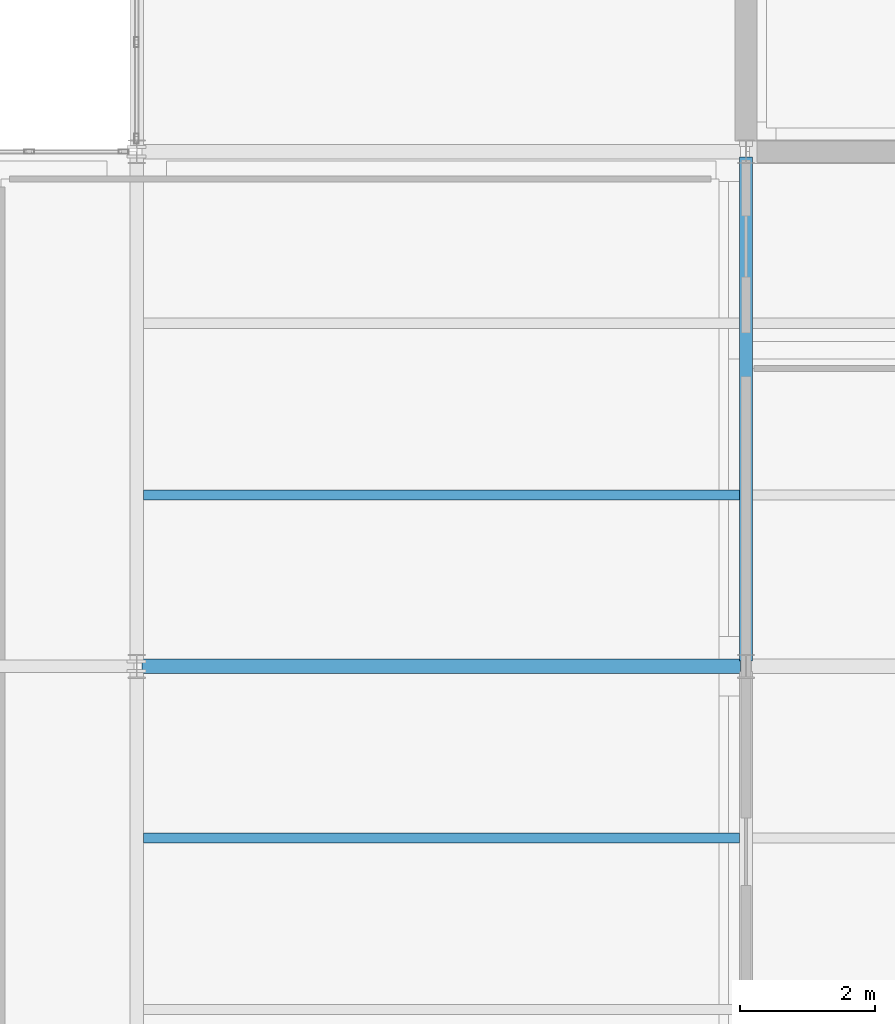
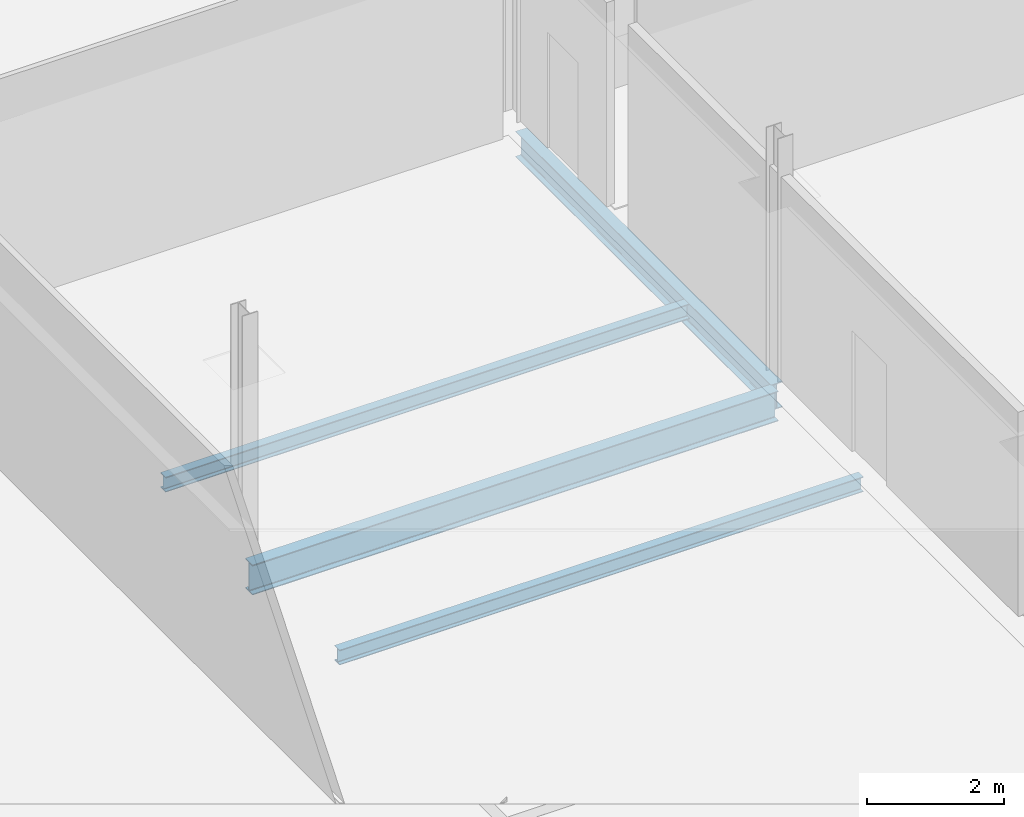
# One storey, part 106 of 174: 4 beams.
"""IFC4 building model written with IfcOpenShell, lengths in metres."""

from ifc_helpers import new_model, si_unit, direction, frame, origin, origin_2d, place, context, subcontext, project, spatial, i_section, extrude, material, material_profile, profile_set, type_object, element, save


model = new_model("IFC4")

# Units and contexts
model_context = context("Model", 3, precision=1e-05, world=origin(), true_north=direction((0.0, 1.0)))
body_context = subcontext(model_context, "Body", "Model", "MODEL_VIEW")
ifc_project = project(units=[si_unit("LENGTHUNIT", "METRE"), si_unit("AREAUNIT", "SQUARE_METRE"), si_unit("VOLUMEUNIT", "CUBIC_METRE"), si_unit("PLANEANGLEUNIT", "RADIAN"), si_unit("MASSUNIT", "GRAM", prefix="KILO")], contexts=[model_context])

# Site, building, storey
site_placement = place(None, origin())
site = spatial("IfcSite", under=ifc_project, at=site_placement, CompositionType="ELEMENT")
building_placement = place(site_placement, origin())
building = spatial("IfcBuilding", under=site, at=building_placement, Name="Caisbarro Railhouse Central Library", CompositionType="ELEMENT")
storey_placement = place(building_placement, frame((0.0, 0.0, 5.0400390625)))
storey = spatial("IfcBuildingStorey", under=building, at=storey_placement, Name="L01", CompositionType="ELEMENT", Elevation=5.0400390625)

# Beams
ifc_material = material(Name="Steel ASTM A572 Grade 50", Category="steel")
ifc_material_profile_1 = material_profile(ifc_material, i_section(OverallWidth=0.208984375, OverallDepth=0.532958984375, WebThickness=0.01025390625, FlangeThickness=0.015625, FilletRadius=0.02001953125, at=origin_2d()), Name="W530X92.0")
ifc_profile_set_1 = profile_set([ifc_material_profile_1], Name="Steel ASTM A572 Grade 50")
beam_type_1 = type_object("IfcBeamType", Name="BM-G06", PredefinedType="BEAM", material=ifc_profile_set_1)
beam_1_placement = place(storey_placement, frame((117.080078125, 98.800048828125, -0.486572265625), z_axis=(1.0, 0.0, 0.0), x_axis=(0.0, 1.0, 0.0)))
element("IfcBeam", 1, at=beam_1_placement, inside=storey, type_object=beam_type_1, Name="G06 beam L01 #919", PredefinedType="BEAM", context=body_context, shape_type="SweptSolid", body=[
    extrude(i_section(OverallWidth=0.208984375, OverallDepth=0.532958984375, WebThickness=0.01025390625, FlangeThickness=0.015625, FilletRadius=0.02001953125, at=origin_2d()), origin(), (0.0, 0.0, 1.0), 8.83984375),
])
ifc_material_profile_2 = material_profile(ifc_material, i_section(OverallWidth=0.18994140625, OverallDepth=0.45703125, WebThickness=0.009033203125, FlangeThickness=0.014404296875, FilletRadius=0.01806640625, at=origin_2d()), Name="W460X74.0")
ifc_profile_set_2 = profile_set([ifc_material_profile_2], Name="Steel ASTM A572 Grade 50")
beam_type_2 = type_object("IfcBeamType", Name="BM-G08", PredefinedType="BEAM", material=ifc_profile_set_2)
beam_2_placement = place(storey_placement, frame((126.0, 98.8798828125, -0.448486328125), z_axis=(0.0, 1.0, 0.0), x_axis=(-1.0, 0.0, 0.0)))
element("IfcBeam", 2, at=beam_2_placement, inside=storey, type_object=beam_type_2, Name="G08 beam L01 #943", PredefinedType="BEAM", context=body_context, shape_type="SweptSolid", body=[
    extrude(i_section(OverallWidth=0.18994140625, OverallDepth=0.45703125, WebThickness=0.009033203125, FlangeThickness=0.014404296875, FilletRadius=0.01806640625, at=origin_2d()), origin(), (0.0, 0.0, 1.0), 7.440185546875),
])
ifc_material_profile_3 = material_profile(ifc_material, i_section(OverallWidth=0.14794921875, OverallDepth=0.26611328125, WebThickness=0.007568359375, FlangeThickness=0.012939453125, FilletRadius=0.010009765625, at=origin_2d()), Name="W250X44.8")
ifc_profile_set_3 = profile_set([ifc_material_profile_3], Name="Steel ASTM A572 Grade 50")
beam_type_3 = type_object("IfcBeamType", Name="BM-J04", PredefinedType="JOIST", material=ifc_profile_set_3)
for number, where, z_axis, x_axis, name in (
    (3, (117.10009765625, 96.2666015625, -0.35302734375), (1.0, 0.0, 0.0), (0.0, 1.0, 0.0), "J04 beam L01 #973"),
    (4, (117.10009765625, 101.333251953125, -0.35302734375), (1.0, 0.0, 0.0), (0.0, 1.0, 0.0), "J04 beam L01 #974"),
):
    element("IfcBeam", number, at=place(storey_placement, frame(where, z_axis=z_axis, x_axis=x_axis)), inside=storey, type_object=beam_type_3, Name=name, PredefinedType="JOIST", context=body_context, shape_type="SweptSolid", body=[
        extrude(i_section(OverallWidth=0.14794921875, OverallDepth=0.26611328125, WebThickness=0.007568359375, FlangeThickness=0.012939453125, FilletRadius=0.010009765625, at=origin_2d()), origin(), (0.0, 0.0, 1.0), 8.804931640625),
    ])

save(model, "model.ifc")
